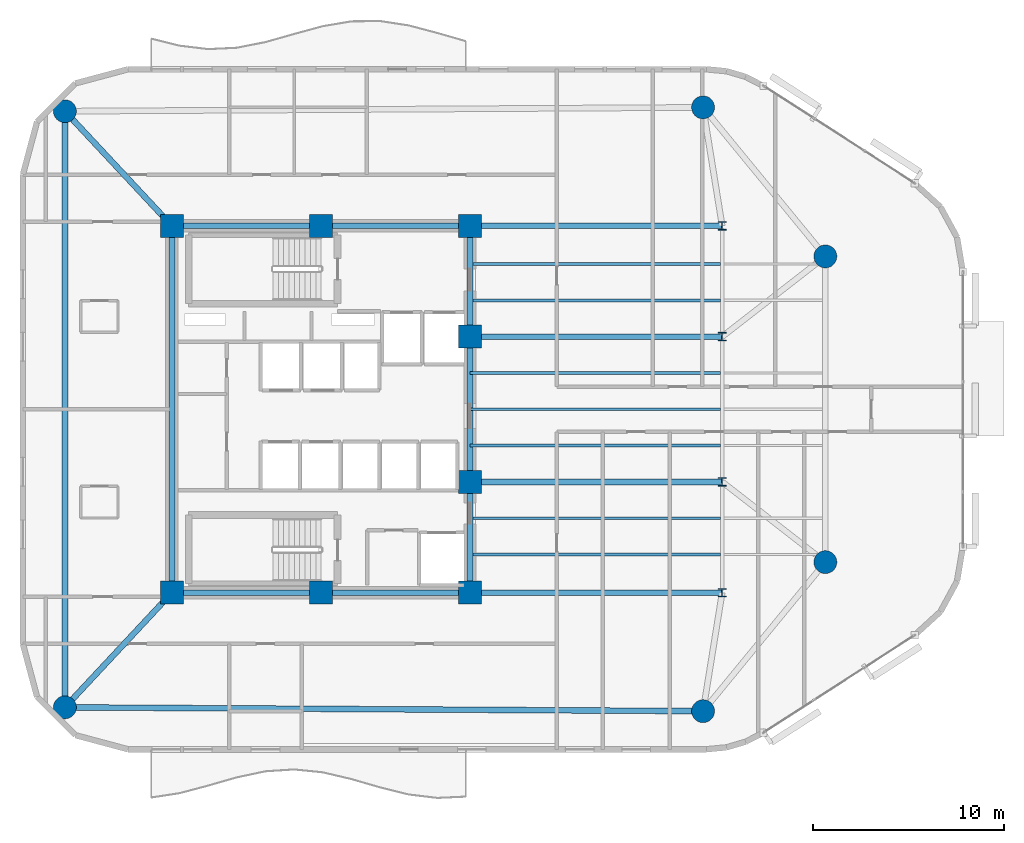
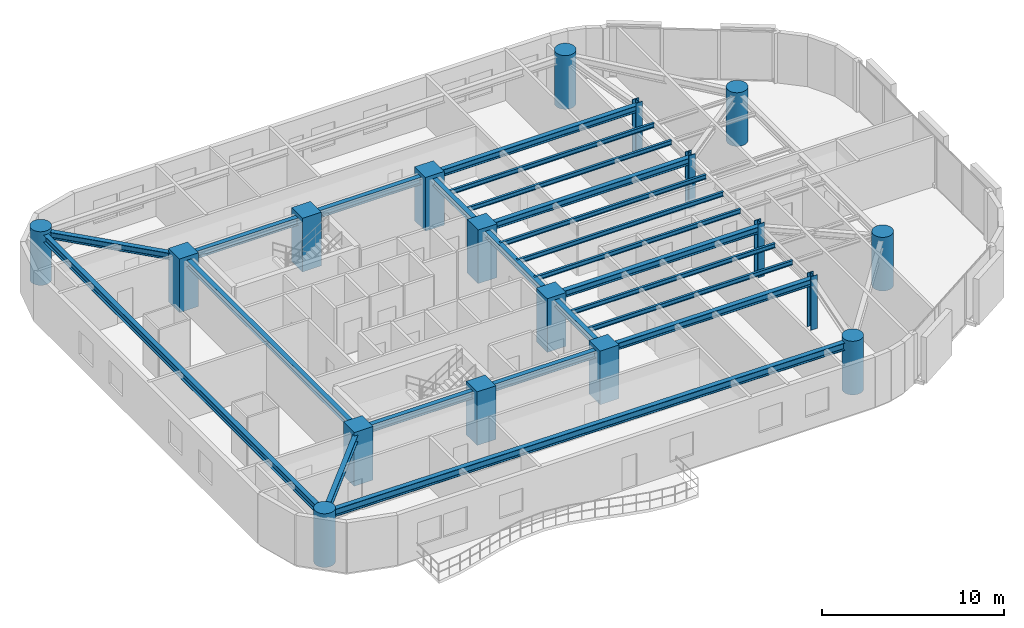
# One storey, part 1 of 15: 21 beams, 18 columns.
"""IFC4 building model written with IfcOpenShell, lengths in metres."""

from ifc_helpers import new_model, si_unit, direction, frame, origin, origin_2d, place, context, subcontext, project, spatial, rectangle, circle, i_section, extrude, material, material_profile, profile_set, type_object, element, save


model = new_model("IFC4")

# Units and contexts
model_context = context("Model", 3, precision=1e-05, world=origin(), true_north=direction((0.0, 1.0)))
body_context = subcontext(model_context, "Body", "Model", "MODEL_VIEW")
ifc_project = project(units=[si_unit("LENGTHUNIT", "METRE"), si_unit("AREAUNIT", "SQUARE_METRE"), si_unit("VOLUMEUNIT", "CUBIC_METRE"), si_unit("PLANEANGLEUNIT", "RADIAN"), si_unit("MASSUNIT", "GRAM", prefix="KILO")], contexts=[model_context])

# Site, building, storey
site_placement = place(None, origin())
site = spatial("IfcSite", under=ifc_project, at=site_placement, CompositionType="ELEMENT")
building_placement = place(site_placement, origin())
building = spatial("IfcBuilding", under=site, at=building_placement, Name="An Khanh Terracotta Commons", CompositionType="ELEMENT")
storey_placement = place(building_placement, frame((0.0, 0.0, 187.0)))
storey = spatial("IfcBuildingStorey", under=building, at=storey_placement, Name="L49", CompositionType="ELEMENT", Elevation=187.0)

# Columns
ifc_material_1 = material(Name="Concrete C60/75", Category="concrete")
ifc_material_profile_1 = material_profile(ifc_material_1, circle(Radius=0.60009765625, at=origin_2d()), Name="CFST1200")
ifc_profile_set_1 = profile_set([ifc_material_profile_1], Name="Concrete C60/75")
column_type_1 = type_object("IfcColumnType", Name="COL-CFST1200", PredefinedType="COLUMN", material=ifc_profile_set_1)
for number, where, z_axis, x_axis, name in (
    (1, (16.0, 8.39990234375, 0.0), (0.0, 0.0, 1.0), (1.0, 0.0, 0.0), "L49 Perimeter CFST Mega-Column MC-01"),
    (2, (49.39990234375, 8.199951171875, 0.0), (0.0, 0.0, 1.0), (1.0, 0.0, 0.0), "L49 Perimeter CFST Mega-Column MC-02"),
    (3, (55.800048828125, 16.0, 0.0), (0.0, 0.0, 1.0), (1.0, 0.0, 0.0), "L49 Perimeter CFST Mega-Column MC-03"),
    (4, (55.800048828125, 32.0, 0.0), (0.0, 0.0, 1.0), (1.0, 0.0, 0.0), "L49 Perimeter CFST Mega-Column MC-04"),
    (5, (49.39990234375, 39.800048828125, 0.0), (0.0, 0.0, 1.0), (1.0, 0.0, 0.0), "L49 Perimeter CFST Mega-Column MC-05"),
    (6, (16.0, 39.60009765625, 0.0), (0.0, 0.0, 1.0), (1.0, 0.0, 0.0), "L49 Perimeter CFST Mega-Column MC-06"),
):
    element("IfcColumn", number, at=place(storey_placement, frame(where, z_axis=z_axis, x_axis=x_axis)), inside=storey, type_object=column_type_1, Name=name, PredefinedType="COLUMN", context=body_context, shape_type="SweptSolid", body=[
        extrude(circle(Radius=0.60009765625, at=origin_2d()), origin(), (0.0, 0.0, 1.0), 3.60009765625),
    ])
ifc_material_2 = material(Name="Steel S460ML", Category="steel")
ifc_material_profile_2 = material_profile(ifc_material_2, i_section(OverallWidth=0.406005859375, OverallDepth=0.43994140625, WebThickness=0.02392578125, FlangeThickness=0.0390625, FilletRadius=0.014892578125, at=origin_2d()), Name="HD400x314")
ifc_profile_set_2 = profile_set([ifc_material_profile_2], Name="Steel S460ML")
column_type_2 = type_object("IfcColumnType", Name="COL-HD400x314", PredefinedType="COLUMN", material=ifc_profile_set_2)
for number, where, z_axis, x_axis, name in (
    (7, (50.39990234375, 14.39990234375, 0.0), (0.0, 0.0, 1.0), (1.0, 0.0, 0.0), "L49 Interior Frame Column TC-01"),
    (8, (50.39990234375, 20.199951171875, 0.0), (0.0, 0.0, 1.0), (1.0, 0.0, 0.0), "L49 Interior Frame Column TC-02"),
    (9, (50.39990234375, 27.800048828125, 0.0), (0.0, 0.0, 1.0), (1.0, 0.0, 0.0), "L49 Interior Frame Column TC-03"),
    (10, (50.39990234375, 33.60009765625, 0.0), (0.0, 0.0, 1.0), (1.0, 0.0, 0.0), "L49 Interior Frame Column TC-04"),
):
    element("IfcColumn", number, at=place(storey_placement, frame(where, z_axis=z_axis, x_axis=x_axis)), inside=storey, type_object=column_type_2, Name=name, PredefinedType="COLUMN", context=body_context, shape_type="SweptSolid", body=[
        extrude(i_section(OverallWidth=0.406005859375, OverallDepth=0.43994140625, WebThickness=0.02392578125, FlangeThickness=0.0390625, FilletRadius=0.014892578125, at=origin_2d()), origin(), (0.0, 0.0, 1.0), 3.60009765625),
    ])
ifc_material_profile_3 = material_profile(ifc_material_1, rectangle(XDim=1.199951171875, YDim=1.199951171875, at=origin_2d()), Name="RC1200x1200")
ifc_profile_set_3 = profile_set([ifc_material_profile_3], Name="Concrete C60/75")
column_type_3 = type_object("IfcColumnType", Name="COL-RC1200x1200", PredefinedType="COLUMN", material=ifc_profile_set_3)
for number, where, z_axis, x_axis, name in (
    (11, (21.60009765625, 14.39990234375, 0.0), (0.0, 0.0, 1.0), (1.0, 0.0, 0.0), "L49 Core Boundary Column CC-01"),
    (12, (29.39990234375, 14.39990234375, 0.0), (0.0, 0.0, 1.0), (1.0, 0.0, 0.0), "L49 Core Boundary Column CC-02"),
    (13, (37.199951171875, 14.39990234375, 0.0), (0.0, 0.0, 1.0), (1.0, 0.0, 0.0), "L49 Core Boundary Column CC-03"),
    (14, (37.199951171875, 20.199951171875, 0.0), (0.0, 0.0, 1.0), (1.0, 0.0, 0.0), "L49 Core Boundary Column CC-04"),
    (15, (37.199951171875, 27.800048828125, 0.0), (0.0, 0.0, 1.0), (1.0, 0.0, 0.0), "L49 Core Boundary Column CC-05"),
    (16, (37.199951171875, 33.60009765625, 0.0), (0.0, 0.0, 1.0), (1.0, 0.0, 0.0), "L49 Core Boundary Column CC-06"),
    (17, (29.39990234375, 33.60009765625, 0.0), (0.0, 0.0, 1.0), (1.0, 0.0, 0.0), "L49 Core Boundary Column CC-07"),
    (18, (21.60009765625, 33.60009765625, 0.0), (0.0, 0.0, 1.0), (1.0, 0.0, 0.0), "L49 Core Boundary Column CC-08"),
):
    element("IfcColumn", number, at=place(storey_placement, frame(where, z_axis=z_axis, x_axis=x_axis)), inside=storey, type_object=column_type_3, Name=name, PredefinedType="COLUMN", context=body_context, shape_type="SweptSolid", body=[
        extrude(rectangle(XDim=1.199951171875, YDim=1.199951171875, at=origin_2d()), origin(), (0.0, 0.0, 1.0), 3.60009765625),
    ])

# Beams
ifc_material_3 = material(Name="Steel S355J2", Category="steel")
ifc_material_profile_4 = material_profile(ifc_material_3, i_section(OverallWidth=0.300048828125, OverallDepth=0.449951171875, WebThickness=0.013916015625, FlangeThickness=0.02587890625, FilletRadius=0.027099609375, at=origin_2d()), Name="HEB450")
ifc_profile_set_4 = profile_set([ifc_material_profile_4], Name="Steel S355J2")
beam_type_1 = type_object("IfcBeamType", Name="BM-HEB450", PredefinedType="BEAM", material=ifc_profile_set_4)
beam_1_placement = place(storey_placement, frame((37.199951171875, 14.39990234375, 3.135009765625), z_axis=(0.0, 1.0, 0.0), x_axis=(-1.0, 0.0, 0.0)))
element("IfcBeam", 19, at=beam_1_placement, inside=storey, type_object=beam_type_1, Name="L49 Core East Coupling Girder 1", PredefinedType="BEAM", context=body_context, shape_type="SweptSolid", body=[
    extrude(i_section(OverallWidth=0.300048828125, OverallDepth=0.449951171875, WebThickness=0.013916015625, FlangeThickness=0.02587890625, FilletRadius=0.027099609375, at=origin_2d()), origin(), (0.0, 0.0, 1.0), 5.800048828125),
])
beam_2_placement = place(storey_placement, frame((37.199951171875, 20.199951171875, 3.135009765625), z_axis=(0.0, 1.0, 0.0), x_axis=(-1.0, 0.0, 0.0)))
element("IfcBeam", 20, at=beam_2_placement, inside=storey, type_object=beam_type_1, Name="L49 Core East Coupling Girder 2", PredefinedType="BEAM", context=body_context, shape_type="SweptSolid", body=[
    extrude(i_section(OverallWidth=0.300048828125, OverallDepth=0.449951171875, WebThickness=0.013916015625, FlangeThickness=0.02587890625, FilletRadius=0.027099609375, at=origin_2d()), origin(), (0.0, 0.0, 1.0), 7.60009765625),
])
beam_3_placement = place(storey_placement, frame((37.199951171875, 27.800048828125, 3.135009765625), z_axis=(0.0, 1.0, 0.0), x_axis=(-1.0, 0.0, 0.0)))
element("IfcBeam", 21, at=beam_3_placement, inside=storey, type_object=beam_type_1, Name="L49 Core East Coupling Girder 3", PredefinedType="BEAM", context=body_context, shape_type="SweptSolid", body=[
    extrude(i_section(OverallWidth=0.300048828125, OverallDepth=0.449951171875, WebThickness=0.013916015625, FlangeThickness=0.02587890625, FilletRadius=0.027099609375, at=origin_2d()), origin(), (0.0, 0.0, 1.0), 5.800048828125),
])
beam_4_placement = place(storey_placement, frame((21.60009765625, 14.39990234375, 3.135009765625), z_axis=(0.0, 1.0, 0.0), x_axis=(-1.0, 0.0, 0.0)))
element("IfcBeam", 22, at=beam_4_placement, inside=storey, type_object=beam_type_1, Name="L49 Core West Coupling Girder", PredefinedType="BEAM", context=body_context, shape_type="SweptSolid", body=[
    extrude(i_section(OverallWidth=0.300048828125, OverallDepth=0.449951171875, WebThickness=0.013916015625, FlangeThickness=0.02587890625, FilletRadius=0.027099609375, at=origin_2d()), origin(), (0.0, 0.0, 1.0), 19.2001953125),
])
for number, where, z_axis, x_axis, name in (
    (23, (37.199951171875, 14.39990234375, 3.135009765625), (1.0, 0.0, 0.0), (0.0, 1.0, 0.0), "L49 East Primary Floor Girder 1"),
    (24, (37.199951171875, 20.199951171875, 3.135009765625), (1.0, 0.0, 0.0), (0.0, 1.0, 0.0), "L49 East Primary Floor Girder 2"),
    (25, (37.199951171875, 27.800048828125, 3.135009765625), (1.0, 0.0, 0.0), (0.0, 1.0, 0.0), "L49 East Primary Floor Girder 3"),
    (26, (37.199951171875, 33.60009765625, 3.135009765625), (1.0, 0.0, 0.0), (0.0, 1.0, 0.0), "L49 East Primary Floor Girder 4"),
):
    element("IfcBeam", number, at=place(storey_placement, frame(where, z_axis=z_axis, x_axis=x_axis)), inside=storey, type_object=beam_type_1, Name=name, PredefinedType="BEAM", context=body_context, shape_type="SweptSolid", body=[
        extrude(i_section(OverallWidth=0.300048828125, OverallDepth=0.449951171875, WebThickness=0.013916015625, FlangeThickness=0.02587890625, FilletRadius=0.027099609375, at=origin_2d()), origin(), (0.0, 0.0, 1.0), 13.199951171875),
    ])
for number, where, z_axis, x_axis, name in (
    (27, (16.0, 8.39990234375, 3.135009765625), (0.682324609438, 0.731049333052, 0.0), (-0.731049333052, 0.682324609438, 0.0), "L49 Mega-Column Tie Girder 1"),
    (28, (16.0, 39.60009765625, 3.135009765625), (0.682324609438, -0.731049333052, 0.0), (0.731049333052, 0.682324609438, 0.0), "L49 Mega-Column Tie Girder 6"),
):
    element("IfcBeam", number, at=place(storey_placement, frame(where, z_axis=z_axis, x_axis=x_axis)), inside=storey, type_object=beam_type_1, Name=name, PredefinedType="BEAM", context=body_context, shape_type="SweptSolid", body=[
        extrude(i_section(OverallWidth=0.300048828125, OverallDepth=0.449951171875, WebThickness=0.013916015625, FlangeThickness=0.02587890625, FilletRadius=0.027099609375, at=origin_2d()), origin(), (0.0, 0.0, 1.0), 8.207275390625),
    ])
ifc_material_profile_5 = material_profile(ifc_material_3, i_section(OverallWidth=0.300048828125, OverallDepth=0.5, WebThickness=0.014404296875, FlangeThickness=0.028076171875, FilletRadius=0.027099609375, at=origin_2d()), Name="HEB500")
ifc_profile_set_5 = profile_set([ifc_material_profile_5], Name="Steel S355J2")
beam_type_2 = type_object("IfcBeamType", Name="BM-HEB500", PredefinedType="BEAM", material=ifc_profile_set_5)
for number, where, z_axis, x_axis, name in (
    (29, (21.60009765625, 14.39990234375, 3.110107421875), (1.0, 0.0, 0.0), (0.0, 1.0, 0.0), "L49 Core South Coupling Girder"),
    (30, (21.60009765625, 33.60009765625, 3.110107421875), (1.0, 0.0, 0.0), (0.0, 1.0, 0.0), "L49 Core North Coupling Girder"),
):
    element("IfcBeam", number, at=place(storey_placement, frame(where, z_axis=z_axis, x_axis=x_axis)), inside=storey, type_object=beam_type_2, Name=name, PredefinedType="BEAM", context=body_context, shape_type="SweptSolid", body=[
        extrude(i_section(OverallWidth=0.300048828125, OverallDepth=0.5, WebThickness=0.014404296875, FlangeThickness=0.028076171875, FilletRadius=0.027099609375, at=origin_2d()), origin(), (0.0, 0.0, 1.0), 15.599853515625),
    ])
beam_5_placement = place(storey_placement, frame((16.0, 8.39990234375, 3.110107421875), z_axis=(0.999982080914, -0.005986472262, 0.0), x_axis=(0.005986472262, 0.999982080914, 0.0)))
element("IfcBeam", 31, at=beam_5_placement, inside=storey, type_object=beam_type_2, Name="L49 Perimeter Ring Spandrel 1", PredefinedType="BEAM", context=body_context, shape_type="SweptSolid", body=[
    extrude(i_section(OverallWidth=0.300048828125, OverallDepth=0.5, WebThickness=0.014404296875, FlangeThickness=0.028076171875, FilletRadius=0.027099609375, at=origin_2d()), origin(), (0.0, 0.0, 1.0), 33.400390625),
])
beam_6_placement = place(storey_placement, frame((16.0, 39.60009765625, 3.110107421875), z_axis=(0.0, -1.0, 0.0), x_axis=(1.0, 0.0, 0.0)))
element("IfcBeam", 32, at=beam_6_placement, inside=storey, type_object=beam_type_2, Name="L49 Perimeter Ring Spandrel 6", PredefinedType="BEAM", context=body_context, shape_type="SweptSolid", body=[
    extrude(i_section(OverallWidth=0.300048828125, OverallDepth=0.5, WebThickness=0.014404296875, FlangeThickness=0.028076171875, FilletRadius=0.027099609375, at=origin_2d()), origin(), (0.0, 0.0, 1.0), 31.2001953125),
])
ifc_material_profile_6 = material_profile(ifc_material_3, i_section(OverallWidth=0.14990234375, OverallDepth=0.300048828125, WebThickness=0.007080078125, FlangeThickness=0.0107421875, FilletRadius=0.014892578125, at=origin_2d()), Name="IPE300")
ifc_profile_set_6 = profile_set([ifc_material_profile_6], Name="Steel S355J2")
beam_type_3 = type_object("IfcBeamType", Name="BM-IPE300", PredefinedType="JOIST", material=ifc_profile_set_6)
for number, where, z_axis, x_axis, name in (
    (33, (37.199951171875, 16.39990234375, 3.2099609375), (1.0, 0.0, 0.0), (0.0, 1.0, 0.0), "L49 Inboard Composite Joist 1"),
    (34, (37.199951171875, 18.300048828125, 3.2099609375), (1.0, 0.0, 0.0), (0.0, 1.0, 0.0), "L49 Inboard Composite Joist 2"),
    (35, (37.199951171875, 22.10009765625, 3.2099609375), (1.0, 0.0, 0.0), (0.0, 1.0, 0.0), "L49 Inboard Composite Joist 3"),
    (36, (37.199951171875, 24.0, 3.2099609375), (1.0, 0.0, 0.0), (0.0, 1.0, 0.0), "L49 Inboard Composite Joist 4"),
    (37, (37.199951171875, 25.89990234375, 3.2099609375), (1.0, 0.0, 0.0), (0.0, 1.0, 0.0), "L49 Inboard Composite Joist 5"),
    (38, (37.199951171875, 29.699951171875, 3.2099609375), (1.0, 0.0, 0.0), (0.0, 1.0, 0.0), "L49 Inboard Composite Joist 6"),
    (39, (37.199951171875, 31.60009765625, 3.2099609375), (1.0, 0.0, 0.0), (0.0, 1.0, 0.0), "L49 Inboard Composite Joist 7"),
):
    element("IfcBeam", number, at=place(storey_placement, frame(where, z_axis=z_axis, x_axis=x_axis)), inside=storey, type_object=beam_type_3, Name=name, PredefinedType="JOIST", context=body_context, shape_type="SweptSolid", body=[
        extrude(i_section(OverallWidth=0.14990234375, OverallDepth=0.300048828125, WebThickness=0.007080078125, FlangeThickness=0.0107421875, FilletRadius=0.014892578125, at=origin_2d()), origin(), (0.0, 0.0, 1.0), 13.10009765625),
    ])

save(model, "model.ifc")
